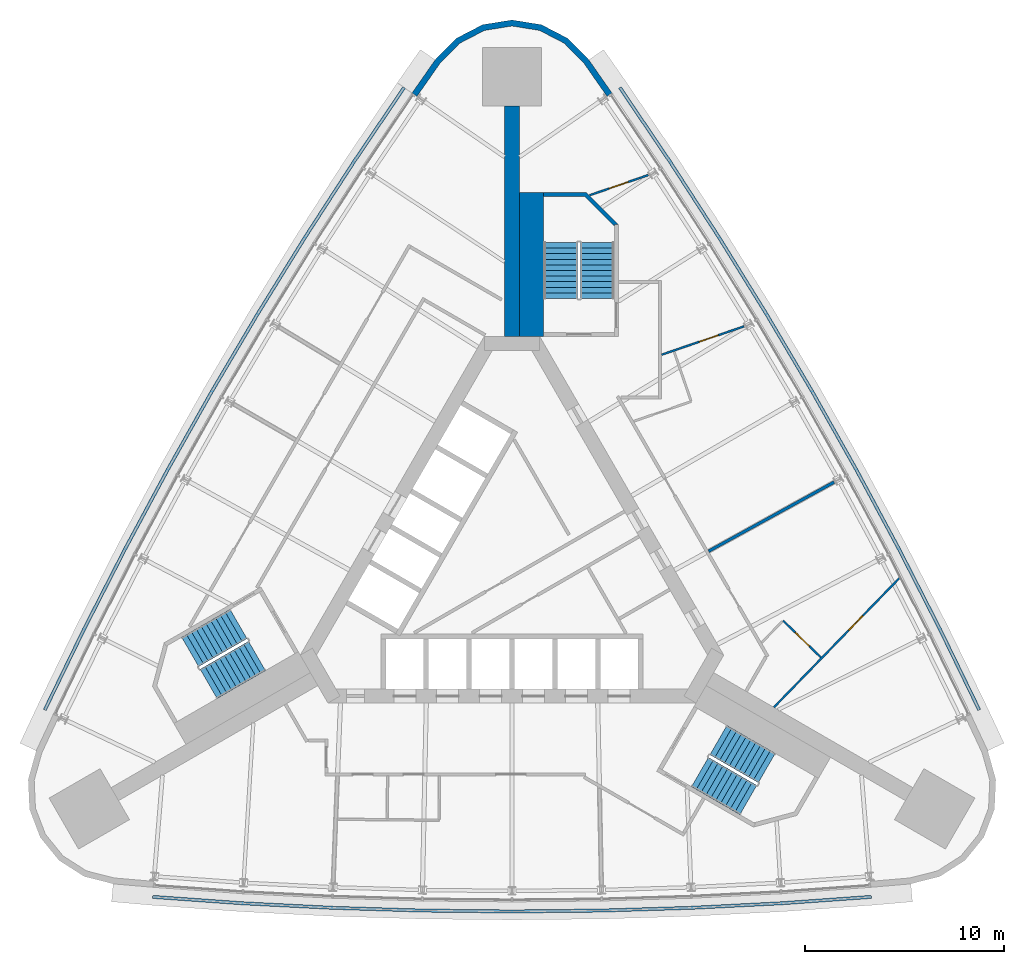
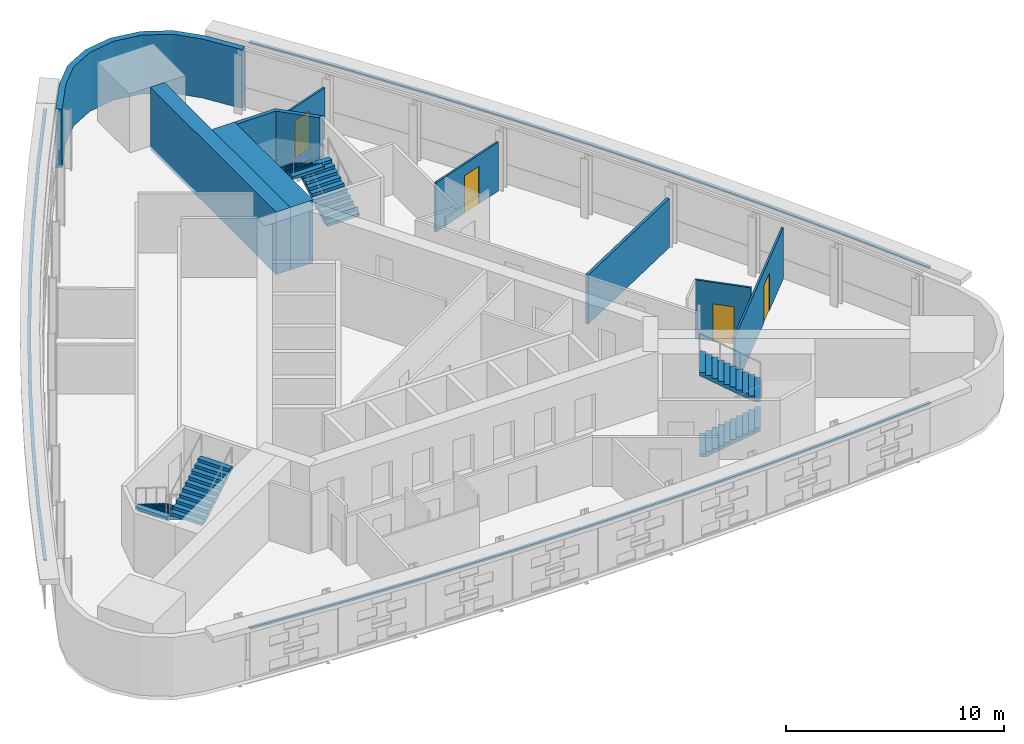
# One storey, part 9 of 11: 9 walls, 6 stair flights, 4 doors, 3 discrete accessories, 4 openings, 3 elements without a shape of their own.
"""IFC4 building model written with IfcOpenShell, lengths in metres."""

from ifc_helpers import new_model, si_unit, direction, frame, frame_2d, origin, place, context, subcontext, project, spatial, polyline, rectangle, outline, extrude, material, layer, layer_set, type_object, element, fill, aggregate, save


model = new_model("IFC4")

# Units and contexts
model_context = context("Model", 3, precision=1e-05, world=origin(), true_north=direction((0.0, 1.0)))
body_context = subcontext(model_context, "Body", "Model", "MODEL_VIEW")
ifc_project = project(units=[si_unit("LENGTHUNIT", "METRE"), si_unit("AREAUNIT", "SQUARE_METRE"), si_unit("VOLUMEUNIT", "CUBIC_METRE"), si_unit("PLANEANGLEUNIT", "RADIAN"), si_unit("MASSUNIT", "GRAM", prefix="KILO")], contexts=[model_context])

# Site, building, storey
site_placement = place(None, origin())
site = spatial("IfcSite", under=ifc_project, at=site_placement, CompositionType="ELEMENT")
building_placement = place(site_placement, origin())
building = spatial("IfcBuilding", under=site, at=building_placement, Name="Noor Cloister Tower", CompositionType="ELEMENT")
storey_placement = place(building_placement, frame((0.0, 0.0, 123.89990234375)))
storey = spatial("IfcBuildingStorey", under=building, at=storey_placement, Name="L32", CompositionType="ELEMENT", Elevation=123.89990234375)

# Walls
ifc_material_1 = material(Name="Concrete C80/95", Category="concrete")
ifc_layer_1 = layer(ifc_material_1, 0.75)
ifc_layer_set_1 = layer_set([ifc_layer_1], Name="Buttress wall 750 C80/95")
wall_type_1 = type_object("IfcWallType", Name="Buttress wall 750 C80/95", PredefinedType="SHEAR", material=ifc_layer_set_1)
wall_1_placement = place(storey_placement, frame((0.0, 11.456298828125, -0.199951171875), z_axis=(0.0, 0.0, 1.0), x_axis=(0.0, 1.0, 0.0)))
element("IfcWall", 1, at=wall_1_placement, inside=storey, type_object=wall_type_1, Name="Buttress wall N L32", PredefinedType="SHEAR", context=body_context, shape_type="SweptSolid", body=[
    extrude(rectangle(XDim=11.538818359375, YDim=0.75, at=frame_2d((5.76953125, 0.0))), origin(), (0.0, 0.0, 1.0), 3.5),
])
ifc_material_2 = material(Name="Gypsum board partition on steel studs, 150 mm", Category="steel")
ifc_layer_2 = layer(ifc_material_2, 0.14990234375)
ifc_layer_set_2 = layer_set([ifc_layer_2], Name="Flat wall 150")
wall_type_2 = type_object("IfcWallType", Name="Flat wall 150", PredefinedType="PARTITIONING", material=ifc_layer_set_2)
wall_2_placement = place(storey_placement, frame((16.14453125, 4.14404296875, 0.0), z_axis=(0.0, 0.0, 1.0), x_axis=(-0.875990246448, -0.482328817434, 0.0)))
element("IfcWall", 2, at=wall_2_placement, inside=storey, type_object=wall_type_2, Name="Flat wall 150 L32 016", PredefinedType="PARTITIONING", context=body_context, shape_type="SweptSolid", body=[
    extrude(rectangle(XDim=7.175537109375, YDim=0.14990234375, at=frame_2d((3.587890625, 0.0))), origin(), (0.0, 0.0, 1.0), 2.7470703125),
])
ifc_material_3 = material(Name="Limestone", Category="masonry")
ifc_layer_3 = layer(ifc_material_3, 0.300048828125)
ifc_layer_set_3 = layer_set([ifc_layer_3], Name="Limestone cladding 300")
wall_type_3 = type_object("IfcWallType", Name="Limestone cladding 300", PredefinedType="NOTDEFINED", material=ifc_layer_set_3)
wall_3_placement = place(storey_placement, origin())
element("IfcWall", 3, at=wall_3_placement, inside=storey, type_object=wall_type_3, Name="Limestone pier cladding L32 3.1", PredefinedType="NOTDEFINED", context=body_context, shape_type="SweptSolid", body=[
    extrude(outline(polyline([(5.0126953125, 23.65576171875), (3.853271484375, 25.31689453125), (2.807373046875, 26.38818359375), (1.478271484375, 27.07763671875), (0.0, 27.3154296875), (-1.478271484375, 27.07763671875), (-2.807373046875, 26.38818359375), (-3.853271484375, 25.31689453125), (-5.0126953125, 23.65576171875), (-4.7666015625, 23.484130859375), (-3.621337890625, 25.125), (-2.62646484375, 26.14404296875), (-1.3828125, 26.7890625), (0.0, 27.011474609375), (1.3828125, 26.7890625), (2.62646484375, 26.14404296875), (3.621337890625, 25.125), (4.7666015625, 23.484130859375), (5.0126953125, 23.65576171875)])), origin(), (0.0, 0.0, 1.0), 3.300048828125),
])

# Wall, opening, door
ifc_material_4 = material(Name="Gypsum board partition on steel studs, 100 mm", Category="steel")
ifc_layer_4 = layer(ifc_material_4, 0.10009765625)
ifc_layer_set_4 = layer_set([ifc_layer_4], Name="Partition 100")
wall_type_4 = type_object("IfcWallType", Name="Partition 100", PredefinedType="PARTITIONING", material=ifc_layer_set_4)
wall_4_placement = place(storey_placement, frame((19.424560546875, -0.662353515625, 0.0), z_axis=(0.0, 0.0, 1.0), x_axis=(-0.696698602336, -0.717363964458, 0.0)))
wall_4 = element("IfcWall", 4, at=wall_4_placement, inside=storey, type_object=wall_type_4, Name="Partition 100 L32 021", PredefinedType="PARTITIONING", context=body_context, shape_type="SweptSolid", body=[
    extrude(rectangle(XDim=9.02587890625, YDim=0.10009765625, at=frame_2d((4.512939453125, 0.0))), origin(), (0.0, 0.0, 1.0), 2.8740234375),
])
opening_1_placement = place(wall_4_placement, frame((2.642578125, 0.0, 0.0)))
opening_1 = element("IfcOpeningElement", 5, at=opening_1_placement, cuts=wall_4, Name="Opening L32-012", PredefinedType="OPENING", context=body_context, shape_type="SweptSolid", body=[
    extrude(rectangle(XDim=1.0, YDim=2.10009765625, at=frame_2d((0.5, 1.050048828125))), frame((0.0, 0.06005859375, 0.0), z_axis=(0.0, -1.0, 0.0), x_axis=(1.0, 0.0, 0.0)), (0.0, 0.0, 1.0), 0.1201171875),
])
ifc_material_5 = material(Name="Timber door leaf with steel frame", Category="steel")
door_type = type_object("IfcDoorType", Name="Interior door 1000", OperationType="NOTDEFINED", PredefinedType="DOOR", material=ifc_material_5)
door_1_placement = place(opening_1_placement, origin())
door_1 = element("IfcDoor", 6, at=door_1_placement, inside=storey, type_object=door_type, Name="Interior door 1000 L32-012", OperationType="SINGLE_SWING_LEFT", OverallHeight=2.10009765625, OverallWidth=1.0, PredefinedType="DOOR", context=body_context, shape_type="SweptSolid", body=[
    extrude(rectangle(XDim=1.0, YDim=2.10009765625, at=frame_2d((0.5, 1.050048828125))), frame((0.0, 0.02490234375, 0.0), z_axis=(0.0, -1.0, 0.0), x_axis=(1.0, 0.0, 0.0)), (0.0, 0.0, 1.0), 0.050048828125),
])
fill(opening_1, door_1)

wall_5_placement = place(storey_placement, frame((7.501953125, 10.53369140625, 0.0), z_axis=(0.0, 0.0, 1.0), x_axis=(0.945553375074, 0.325467071893, 0.0)))
wall_5 = element("IfcWall", 7, at=wall_5_placement, inside=storey, type_object=wall_type_4, Name="Partition 100 L32 023", PredefinedType="PARTITIONING", context=body_context, shape_type="SweptSolid", body=[
    extrude(rectangle(XDim=4.36865234375, YDim=0.10009765625, at=frame_2d((2.184326171875, 0.0))), origin(), (0.0, 0.0, 1.0), 2.7470703125),
])
opening_2_placement = place(wall_5_placement, frame((1.998291015625, 0.0, 0.0)))
opening_2 = element("IfcOpeningElement", 8, at=opening_2_placement, cuts=wall_5, Name="Opening L32-013", PredefinedType="OPENING", context=body_context, shape_type="SweptSolid", body=[
    extrude(rectangle(XDim=1.0, YDim=2.10009765625, at=frame_2d((0.5, 1.050048828125))), frame((0.0, 0.06005859375, 0.0), z_axis=(0.0, -1.0, 0.0), x_axis=(1.0, 0.0, 0.0)), (0.0, 0.0, 1.0), 0.1201171875),
])
door_2_placement = place(opening_2_placement, origin())
door_2 = element("IfcDoor", 9, at=door_2_placement, inside=storey, type_object=door_type, Name="Interior door 1000 L32-013", OperationType="SINGLE_SWING_RIGHT", OverallHeight=2.10009765625, OverallWidth=1.0, PredefinedType="DOOR", context=body_context, shape_type="SweptSolid", body=[
    extrude(rectangle(XDim=1.0, YDim=2.10009765625, at=frame_2d((0.5, 1.050048828125))), frame((0.0, 0.02490234375, 0.0), z_axis=(0.0, -1.0, 0.0), x_axis=(1.0, 0.0, 0.0)), (0.0, 0.0, 1.0), 0.050048828125),
])
fill(opening_2, door_2)

wall_6_placement = place(storey_placement, frame((3.893310546875, 18.529541015625, 0.0), z_axis=(0.0, 0.0, 1.0), x_axis=(0.945532429383, 0.325527917366, 0.0)))
wall_6 = element("IfcWall", 10, at=wall_6_placement, inside=storey, type_object=wall_type_4, Name="Partition 100 L32 024", PredefinedType="PARTITIONING", context=body_context, shape_type="SweptSolid", body=[
    extrude(rectangle(XDim=3.105712890625, YDim=0.10009765625, at=frame_2d((1.552734375, 0.0))), origin(), (0.0, 0.0, 1.0), 2.8740234375),
])
opening_3_placement = place(wall_6_placement, frame((1.04052734375, 0.0, 0.0)))
opening_3 = element("IfcOpeningElement", 11, at=opening_3_placement, cuts=wall_6, Name="Opening L32-014", PredefinedType="OPENING", context=body_context, shape_type="SweptSolid", body=[
    extrude(rectangle(XDim=1.0, YDim=2.10009765625, at=frame_2d((0.5, 1.050048828125))), frame((0.0, 0.06005859375, 0.0), z_axis=(0.0, -1.0, 0.0), x_axis=(1.0, 0.0, 0.0)), (0.0, 0.0, 1.0), 0.1201171875),
])
door_3_placement = place(opening_3_placement, origin())
door_3 = element("IfcDoor", 12, at=door_3_placement, inside=storey, type_object=door_type, Name="Interior door 1000 L32-014", OperationType="SINGLE_SWING_LEFT", OverallHeight=2.10009765625, OverallWidth=1.0, PredefinedType="DOOR", context=body_context, shape_type="SweptSolid", body=[
    extrude(rectangle(XDim=1.0, YDim=2.10009765625, at=frame_2d((0.5, 1.050048828125))), frame((0.0, 0.02490234375, 0.0), z_axis=(0.0, -1.0, 0.0), x_axis=(1.0, 0.0, 0.0)), (0.0, 0.0, 1.0), 0.050048828125),
])
fill(opening_3, door_3)

wall_7_placement = place(storey_placement, frame((15.489013671875, -4.642578125, 0.0), z_axis=(0.0, 0.0, 1.0), x_axis=(-0.717350421595, 0.696712546635, 0.0)))
wall_7 = element("IfcWall", 13, at=wall_7_placement, inside=storey, type_object=wall_type_4, Name="Partition 100 L32 027", PredefinedType="PARTITIONING", context=body_context, shape_type="SweptSolid", body=[
    extrude(rectangle(XDim=2.64990234375, YDim=0.10009765625, at=frame_2d((1.324951171875, 0.0))), origin(), (0.0, 0.0, 1.0), 3.300048828125),
])
opening_4_placement = place(wall_7_placement, frame((0.800048828125, 0.0, 0.0)))
opening_4 = element("IfcOpeningElement", 14, at=opening_4_placement, cuts=wall_7, Name="Opening L32-016", PredefinedType="OPENING", context=body_context, shape_type="SweptSolid", body=[
    extrude(rectangle(XDim=1.0, YDim=2.10009765625, at=frame_2d((0.5, 1.050048828125))), frame((0.0, 0.06005859375, 0.0), z_axis=(0.0, -1.0, 0.0), x_axis=(1.0, 0.0, 0.0)), (0.0, 0.0, 1.0), 0.1201171875),
])
door_4_placement = place(opening_4_placement, origin())
door_4 = element("IfcDoor", 15, at=door_4_placement, inside=storey, type_object=door_type, Name="Interior door 1000 L32-016", OperationType="SINGLE_SWING_LEFT", OverallHeight=2.10009765625, OverallWidth=1.0, PredefinedType="DOOR", context=body_context, shape_type="SweptSolid", body=[
    extrude(rectangle(XDim=1.0, YDim=2.10009765625, at=frame_2d((0.5, 1.050048828125))), frame((0.0, 0.02490234375, 0.0), z_axis=(0.0, -1.0, 0.0), x_axis=(1.0, 0.0, 0.0)), (0.0, 0.0, 1.0), 0.050048828125),
])
fill(opening_4, door_4)

# Walls
ifc_material_6 = material(Name="Concrete C80/95", Category="concrete")
ifc_layer_5 = layer(ifc_material_6, 1.2109375)
ifc_layer_set_5 = layer_set([ifc_layer_5], Name="Stair enclosure wall 1211 C80/95")
wall_type_5 = type_object("IfcWallType", Name="Stair enclosure wall 1211 C80/95", PredefinedType="SHEAR", material=ifc_layer_set_5)
wall_8_placement = place(storey_placement, frame((0.980224609375, 11.456298828125, -0.199951171875), z_axis=(0.0, 0.0, 1.0), x_axis=(0.0, 1.0, 0.0)))
element("IfcWall", 16, at=wall_8_placement, inside=storey, type_object=wall_type_5, Name="Stair enclosure wall ST1 L32 riser side", PredefinedType="SHEAR", context=body_context, shape_type="SweptSolid", body=[
    extrude(rectangle(XDim=7.2001953125, YDim=1.210693359375, at=frame_2d((3.60009765625, 0.0))), origin(), (0.0, 0.0, 1.0), 3.5),
])
ifc_material_7 = material(Name="Concrete C80/95", Category="concrete")
wall_type_6 = type_object("IfcWallType", Name="Stair far end wall C80/95", PredefinedType="SHEAR", material=ifc_material_7)
wall_9_placement = place(storey_placement, frame((0.0, 0.0, -0.199951171875)))
element("IfcWall", 17, at=wall_9_placement, inside=storey, type_object=wall_type_6, Name="Stair enclosure wall ST1 L32 far end", PredefinedType="SHEAR", context=body_context, shape_type="SweptSolid", body=[
    extrude(outline(polyline([(5.335693359375, 17.056396484375), (3.735595703125, 18.656494140625), (1.585693359375, 18.656494140625), (1.585693359375, 18.456298828125), (3.65283203125, 18.456298828125), (5.135498046875, 16.9736328125), (5.135498046875, 17.056396484375), (5.135498046875, 17.056396484375), (5.135498046875, 17.056396484375), (5.135498046875, 17.056396484375), (5.135498046875, 17.056396484375), (5.135498046875, 17.056396484375), (5.135498046875, 17.056396484375), (5.135498046875, 17.056396484375), (5.135498046875, 17.056396484375), (5.135498046875, 17.056396484375), (5.135498046875, 17.056396484375), (5.135498046875, 17.056396484375), (5.135498046875, 17.056396484375), (5.135498046875, 17.056396484375), (5.135498046875, 17.056396484375), (5.135498046875, 17.056396484375), (5.135498046875, 17.056396484375), (5.335693359375, 17.056396484375)])), origin(), (0.0, 0.0, 1.0), 3.5),
])

# Stair, stair flights
ifc_material_8 = material(Name="Concrete C40/50", Category="concrete")
stair_type = type_object("IfcStairType", Name="Exit stair 22 risers", PredefinedType="HALF_TURN_STAIR", material=ifc_material_8)
stair_1_placement = place(storey_placement, origin())
stair_1 = element("IfcStair", 18, at=stair_1_placement, inside=storey, type_object=stair_type, Name="Exit stair ST1 L32", PredefinedType="HALF_TURN_STAIR")
ifc_material_9 = material(Name="Concrete C40/50", Category="concrete")
stair_flight_type = type_object("IfcStairFlightType", Name="Exit stair flight", PredefinedType="STRAIGHT", material=ifc_material_9)
stair_flight_1_placement = place(storey_placement, frame((4.28564453125, 13.3564453125, 0.0), z_axis=(0.0, 0.0, 1.0), x_axis=(0.0, 1.0, 0.0)))
stair_flight_1 = element("IfcStairFlight", 19, at=stair_flight_1_placement, type_object=stair_flight_type, Name="ST1 flight 1", NumberOfRisers=11, NumberOfTreads=10, PredefinedType="STRAIGHT", RiserHeight=0.163636364, TreadLength=0.28, context=body_context, shape_type="SweptSolid", body=[
    extrude(outline(polyline([(0.0, 0.0), (0.0, 0.16357421875), (0.280029296875, 0.16357421875), (0.280029296875, 0.327392578125), (0.56005859375, 0.327392578125), (0.56005859375, 0.490966796875), (0.840087890625, 0.490966796875), (0.840087890625, 0.654541015625), (1.1201171875, 0.654541015625), (1.1201171875, 0.818115234375), (1.39990234375, 0.818115234375), (1.39990234375, 0.98193359375), (1.679931640625, 0.98193359375), (1.679931640625, 1.1455078125), (1.9599609375, 1.1455078125), (1.9599609375, 1.30908203125), (2.239990234375, 1.30908203125), (2.239990234375, 1.47265625), (2.52001953125, 1.47265625), (2.52001953125, 1.636474609375), (2.800048828125, 1.636474609375), (2.800048828125, 1.800048828125), (2.800048828125, 1.462646484375), (0.297119140625, 0.0), (0.0, 0.0)])), frame((0.0, 0.85009765625, 0.0), z_axis=(0.0, -1.0, 0.0), x_axis=(1.0, 0.0, 0.0)), (0.0, 0.0, 1.0), 1.699951171875),
])
stair_flight_2_placement = place(storey_placement, frame((2.435546875, 16.156494140625, 1.800048828125), z_axis=(0.0, 0.0, 1.0), x_axis=(0.0, -1.0, 0.0)))
stair_flight_2 = element("IfcStairFlight", 20, at=stair_flight_2_placement, type_object=stair_flight_type, Name="ST1 flight 2", NumberOfRisers=11, NumberOfTreads=10, PredefinedType="STRAIGHT", RiserHeight=0.163636364, TreadLength=0.28, context=body_context, shape_type="SweptSolid", body=[
    extrude(outline(polyline([(0.0, 0.0), (0.0, 0.16357421875), (0.280029296875, 0.16357421875), (0.280029296875, 0.327392578125), (0.56005859375, 0.327392578125), (0.56005859375, 0.490966796875), (0.840087890625, 0.490966796875), (0.840087890625, 0.654541015625), (1.1201171875, 0.654541015625), (1.1201171875, 0.818115234375), (1.39990234375, 0.818115234375), (1.39990234375, 0.98193359375), (1.679931640625, 0.98193359375), (1.679931640625, 1.1455078125), (1.9599609375, 1.1455078125), (1.9599609375, 1.30908203125), (2.239990234375, 1.30908203125), (2.239990234375, 1.47265625), (2.52001953125, 1.47265625), (2.52001953125, 1.636474609375), (2.800048828125, 1.636474609375), (2.800048828125, 1.800048828125), (2.800048828125, 1.462646484375), (0.297119140625, 0.0), (0.0, 0.0)])), frame((0.0, 0.85009765625, 0.0), z_axis=(0.0, -1.0, 0.0), x_axis=(1.0, 0.0, 0.0)), (0.0, 0.0, 1.0), 1.699951171875),
])
aggregate(stair_1, [stair_flight_1, stair_flight_2])

stair_2_placement = place(storey_placement, origin())
stair_2 = element("IfcStair", 21, at=stair_2_placement, inside=storey, type_object=stair_type, Name="Exit stair ST2 L32", PredefinedType="HALF_TURN_STAIR")
stair_flight_3_placement = place(storey_placement, frame((-13.709716796875, -2.966796875, 0.0), z_axis=(0.0, 0.0, 1.0), x_axis=(-0.866025403784, -0.5, 0.0)))
stair_flight_3 = element("IfcStairFlight", 22, at=stair_flight_3_placement, type_object=stair_flight_type, Name="ST2 flight 1", NumberOfRisers=11, NumberOfTreads=10, PredefinedType="STRAIGHT", RiserHeight=0.163636364, TreadLength=0.28, context=body_context, shape_type="SweptSolid", body=[
    extrude(outline(polyline([(0.0, 0.0), (0.0, 0.16357421875), (0.280029296875, 0.16357421875), (0.280029296875, 0.327392578125), (0.56005859375, 0.327392578125), (0.56005859375, 0.490966796875), (0.840087890625, 0.490966796875), (0.840087890625, 0.654541015625), (1.1201171875, 0.654541015625), (1.1201171875, 0.818115234375), (1.39990234375, 0.818115234375), (1.39990234375, 0.98193359375), (1.679931640625, 0.98193359375), (1.679931640625, 1.1455078125), (1.9599609375, 1.1455078125), (1.9599609375, 1.30908203125), (2.239990234375, 1.30908203125), (2.239990234375, 1.47265625), (2.52001953125, 1.47265625), (2.52001953125, 1.636474609375), (2.800048828125, 1.636474609375), (2.800048828125, 1.800048828125), (2.800048828125, 1.462646484375), (0.297119140625, 0.0), (0.0, 0.0)])), frame((0.0, 0.85009765625, 0.0), z_axis=(0.0, -1.0, 0.0), x_axis=(1.0, 0.0, 0.0)), (0.0, 0.0, 1.0), 1.699951171875),
])
stair_flight_4_placement = place(storey_placement, frame((-15.209716796875, -5.968994140625, 1.800048828125), z_axis=(0.0, 0.0, 1.0), x_axis=(0.866025403784, 0.5, 0.0)))
stair_flight_4 = element("IfcStairFlight", 23, at=stair_flight_4_placement, type_object=stair_flight_type, Name="ST2 flight 2", NumberOfRisers=11, NumberOfTreads=10, PredefinedType="STRAIGHT", RiserHeight=0.163636364, TreadLength=0.28, context=body_context, shape_type="SweptSolid", body=[
    extrude(outline(polyline([(0.0, 0.0), (0.0, 0.16357421875), (0.280029296875, 0.16357421875), (0.280029296875, 0.327392578125), (0.56005859375, 0.327392578125), (0.56005859375, 0.490966796875), (0.840087890625, 0.490966796875), (0.840087890625, 0.654541015625), (1.1201171875, 0.654541015625), (1.1201171875, 0.818115234375), (1.39990234375, 0.818115234375), (1.39990234375, 0.98193359375), (1.679931640625, 0.98193359375), (1.679931640625, 1.1455078125), (1.9599609375, 1.1455078125), (1.9599609375, 1.30908203125), (2.239990234375, 1.30908203125), (2.239990234375, 1.47265625), (2.52001953125, 1.47265625), (2.52001953125, 1.636474609375), (2.800048828125, 1.636474609375), (2.800048828125, 1.800048828125), (2.800048828125, 1.462646484375), (0.297119140625, 0.0), (0.0, 0.0)])), frame((0.0, 0.85009765625, 0.0), z_axis=(0.0, -1.0, 0.0), x_axis=(1.0, 0.0, 0.0)), (0.0, 0.0, 1.0), 1.699951171875),
])
aggregate(stair_2, [stair_flight_3, stair_flight_4])

stair_3_placement = place(storey_placement, origin())
stair_3 = element("IfcStair", 24, at=stair_3_placement, inside=storey, type_object=stair_type, Name="Exit stair ST3 L32", PredefinedType="HALF_TURN_STAIR")
stair_flight_5_placement = place(storey_placement, frame((9.424072265625, -10.3896484375, 0.0), z_axis=(0.0, 0.0, 1.0), x_axis=(0.866025403784, -0.5, 0.0)))
stair_flight_5 = element("IfcStairFlight", 25, at=stair_flight_5_placement, type_object=stair_flight_type, Name="ST3 flight 1", NumberOfRisers=11, NumberOfTreads=10, PredefinedType="STRAIGHT", RiserHeight=0.163636364, TreadLength=0.28, context=body_context, shape_type="SweptSolid", body=[
    extrude(outline(polyline([(0.0, 0.0), (0.0, 0.16357421875), (0.280029296875, 0.16357421875), (0.280029296875, 0.327392578125), (0.56005859375, 0.327392578125), (0.56005859375, 0.490966796875), (0.840087890625, 0.490966796875), (0.840087890625, 0.654541015625), (1.1201171875, 0.654541015625), (1.1201171875, 0.818115234375), (1.39990234375, 0.818115234375), (1.39990234375, 0.98193359375), (1.679931640625, 0.98193359375), (1.679931640625, 1.1455078125), (1.9599609375, 1.1455078125), (1.9599609375, 1.30908203125), (2.239990234375, 1.30908203125), (2.239990234375, 1.47265625), (2.52001953125, 1.47265625), (2.52001953125, 1.636474609375), (2.800048828125, 1.636474609375), (2.800048828125, 1.800048828125), (2.800048828125, 1.462646484375), (0.297119140625, 0.0), (0.0, 0.0)])), frame((0.0, 0.85009765625, 0.0), z_axis=(0.0, -1.0, 0.0), x_axis=(1.0, 0.0, 0.0)), (0.0, 0.0, 1.0), 1.699951171875),
])
stair_flight_6_placement = place(storey_placement, frame((12.77392578125, -10.1875, 1.800048828125), z_axis=(0.0, 0.0, 1.0), x_axis=(-0.866025403784, 0.5, 0.0)))
stair_flight_6 = element("IfcStairFlight", 26, at=stair_flight_6_placement, type_object=stair_flight_type, Name="ST3 flight 2", NumberOfRisers=11, NumberOfTreads=10, PredefinedType="STRAIGHT", RiserHeight=0.163636364, TreadLength=0.28, context=body_context, shape_type="SweptSolid", body=[
    extrude(outline(polyline([(0.0, 0.0), (0.0, 0.16357421875), (0.280029296875, 0.16357421875), (0.280029296875, 0.327392578125), (0.56005859375, 0.327392578125), (0.56005859375, 0.490966796875), (0.840087890625, 0.490966796875), (0.840087890625, 0.654541015625), (1.1201171875, 0.654541015625), (1.1201171875, 0.818115234375), (1.39990234375, 0.818115234375), (1.39990234375, 0.98193359375), (1.679931640625, 0.98193359375), (1.679931640625, 1.1455078125), (1.9599609375, 1.1455078125), (1.9599609375, 1.30908203125), (2.239990234375, 1.30908203125), (2.239990234375, 1.47265625), (2.52001953125, 1.47265625), (2.52001953125, 1.636474609375), (2.800048828125, 1.636474609375), (2.800048828125, 1.800048828125), (2.800048828125, 1.462646484375), (0.297119140625, 0.0), (0.0, 0.0)])), frame((0.0, 0.85009765625, 0.0), z_axis=(0.0, -1.0, 0.0), x_axis=(1.0, 0.0, 0.0)), (0.0, 0.0, 1.0), 1.699951171875),
])
aggregate(stair_3, [stair_flight_5, stair_flight_6])

# Discrete accessories
ifc_material_10 = material(Name="Stainless steel grade 316", Category="steel")
discrete_accessory_type = type_object("IfcDiscreteAccessoryType", Name="Stainless hanger rail", PredefinedType="BRACKET", material=ifc_material_10)
discrete_accessory_1_placement = place(storey_placement, frame((0.0, 0.0, 3.2001953125)))
element("IfcDiscreteAccessory", 27, at=discrete_accessory_1_placement, inside=storey, type_object=discrete_accessory_type, Name="Hanger rail L32", PredefinedType="BRACKET", context=body_context, shape_type="SweptSolid", body=[
    extrude(outline(polyline([(-5.4765625, 23.969482421875), (-8.00048828125, 20.2373046875), (-10.451416015625, 16.44970703125), (-12.824951171875, 12.61328125), (-15.1201171875, 8.7294921875), (-17.3359375, 4.800048828125), (-19.4716796875, 0.826171875), (-21.5263671875, -3.18994140625), (-23.496337890625, -7.241943359375), (-23.3525390625, -7.31201171875), (-21.383056640625, -3.261474609375), (-19.330078125, 0.751953125), (-17.19580078125, 4.722900390625), (-14.9814453125, 8.649658203125), (-12.68798828125, 12.530517578125), (-10.316162109375, 16.3642578125), (-7.8671875, 20.14892578125), (-5.343994140625, 23.8798828125), (-5.4765625, 23.969482421875)])), origin(), (0.0, 0.0, 1.0), 0.099853515625),
])
discrete_accessory_2_placement = place(storey_placement, frame((0.0, 0.0, 3.2001953125)))
element("IfcDiscreteAccessory", 28, at=discrete_accessory_2_placement, inside=storey, type_object=discrete_accessory_type, Name="Hanger rail L32", PredefinedType="BRACKET", context=body_context, shape_type="SweptSolid", body=[
    extrude(outline(polyline([(-18.02001953125, -16.7275390625), (-13.525634765625, -17.04736328125), (-9.020263671875, -17.276123046875), (-4.510986328125, -17.413330078125), (0.0, -17.459228515625), (4.510986328125, -17.413330078125), (9.020263671875, -17.276123046875), (13.525634765625, -17.04736328125), (18.02001953125, -16.7275390625), (18.008544921875, -16.56787109375), (13.51611328125, -16.8876953125), (9.013671875, -17.1162109375), (4.5078125, -17.25341796875), (0.0, -17.299072265625), (-4.5078125, -17.25341796875), (-9.013671875, -17.1162109375), (-13.51611328125, -16.8876953125), (-18.008544921875, -16.56787109375), (-18.02001953125, -16.7275390625)])), origin(), (0.0, 0.0, 1.0), 0.099853515625),
])
discrete_accessory_3_placement = place(storey_placement, frame((0.0, 0.0, 3.2001953125)))
element("IfcDiscreteAccessory", 29, at=discrete_accessory_3_placement, inside=storey, type_object=discrete_accessory_type, Name="Hanger rail L32", PredefinedType="BRACKET", context=body_context, shape_type="SweptSolid", body=[
    extrude(outline(polyline([(23.496337890625, -7.241943359375), (21.5263671875, -3.18994140625), (19.4716796875, 0.826171875), (17.3359375, 4.800048828125), (15.1201171875, 8.7294921875), (12.824951171875, 12.61328125), (10.451416015625, 16.44970703125), (8.00048828125, 20.2373046875), (5.4765625, 23.969482421875), (5.343994140625, 23.8798828125), (7.8671875, 20.14892578125), (10.316162109375, 16.3642578125), (12.68798828125, 12.530517578125), (14.9814453125, 8.649658203125), (17.19580078125, 4.722900390625), (19.330078125, 0.751953125), (21.383056640625, -3.261474609375), (23.3525390625, -7.31201171875), (23.496337890625, -7.241943359375)])), origin(), (0.0, 0.0, 1.0), 0.099853515625),
])

save(model, "model.ifc")
